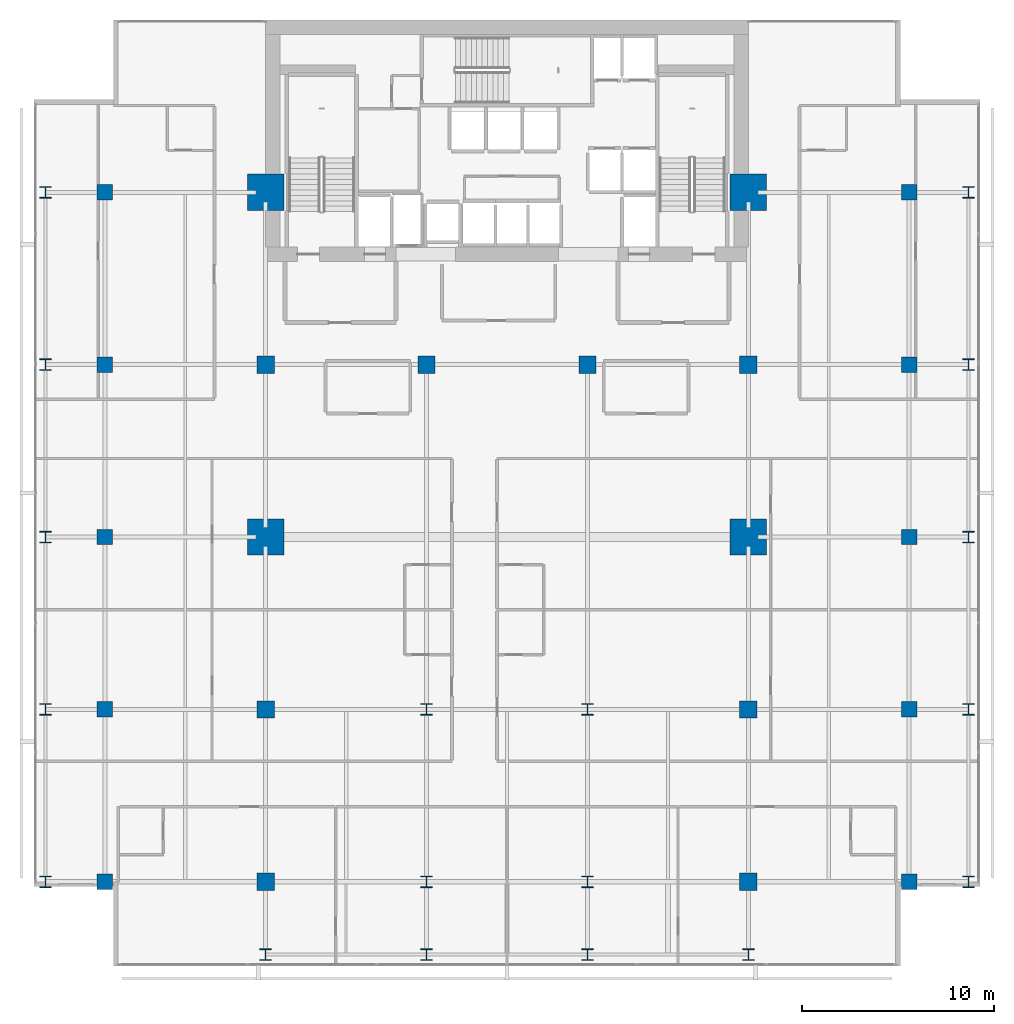
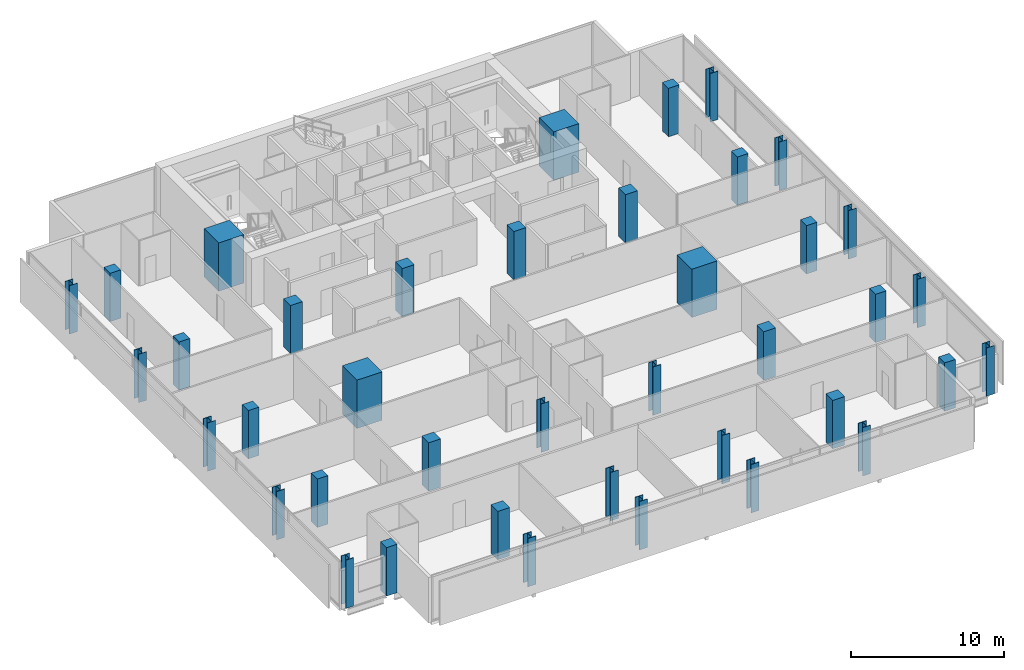
# One storey, part 1 of 32: 40 columns.
"""IFC4 building model written with IfcOpenShell, lengths in metres."""

from ifc_helpers import new_model, si_unit, direction, frame, origin, origin_2d, place, context, subcontext, project, spatial, rectangle, i_section, extrude, material, material_profile, profile_set, type_object, element, save


model = new_model("IFC4")

# Units and contexts
model_context = context("Model", 3, precision=1e-05, world=origin(), true_north=direction((0.0, 1.0)))
body_context = subcontext(model_context, "Body", "Model", "MODEL_VIEW")
ifc_project = project(units=[si_unit("LENGTHUNIT", "METRE"), si_unit("AREAUNIT", "SQUARE_METRE"), si_unit("VOLUMEUNIT", "CUBIC_METRE"), si_unit("PLANEANGLEUNIT", "RADIAN"), si_unit("MASSUNIT", "GRAM", prefix="KILO")], contexts=[model_context])

# Site, building, storey
site_placement = place(None, origin())
site = spatial("IfcSite", under=ifc_project, at=site_placement, CompositionType="ELEMENT")
building_placement = place(site_placement, origin())
building = spatial("IfcBuilding", under=site, at=building_placement, Name="Maruvema Waterfront Hotel and Observation Tower", CompositionType="ELEMENT")
storey_placement = place(building_placement, frame((0.0, 0.0, 219.800048828125)))
storey = spatial("IfcBuildingStorey", under=building, at=storey_placement, Name="L54", CompositionType="ELEMENT", Elevation=219.800048828125)

# Columns
ifc_material_1 = material(Name="Concrete C80/95", Category="concrete")
ifc_material_profile_1 = material_profile(ifc_material_1, rectangle(XDim=1.89990234375, YDim=1.89990234375, at=origin_2d()), Name="MC1900x1900")
ifc_profile_set_1 = profile_set([ifc_material_profile_1], Name="Concrete C80/95")
column_type_1 = type_object("IfcColumnType", Name="Continuous Mega-Column MC1900x1900", PredefinedType="COLUMN", material=ifc_profile_set_1)
for number, where, z_axis, x_axis, name in (
    (1, (25.199951171875, 27.0, 0.0), (0.0, 0.0, 1.0), (1.0, 0.0, 0.0), "L54 Continuous Mega-Column MC-01"),
    (2, (50.39990234375, 27.0, 0.0), (0.0, 0.0, 1.0), (1.0, 0.0, 0.0), "L54 Continuous Mega-Column MC-02"),
    (3, (25.199951171875, 45.0, 0.0), (0.0, 0.0, 1.0), (1.0, 0.0, 0.0), "L54 Continuous Mega-Column MC-03"),
    (4, (50.39990234375, 45.0, 0.0), (0.0, 0.0, 1.0), (1.0, 0.0, 0.0), "L54 Continuous Mega-Column MC-04"),
):
    element("IfcColumn", number, at=place(storey_placement, frame(where, z_axis=z_axis, x_axis=x_axis)), inside=storey, type_object=column_type_1, Name=name, PredefinedType="COLUMN", context=body_context, shape_type="SweptSolid", body=[
        extrude(rectangle(XDim=1.89990234375, YDim=1.89990234375, at=origin_2d()), origin(), (0.0, 0.0, 1.0), 3.849853515625),
    ])
ifc_material_2 = material(Name="Concrete C60/75", Category="concrete")
ifc_material_profile_2 = material_profile(ifc_material_2, rectangle(XDim=0.800048828125, YDim=0.800048828125, at=origin_2d()), Name="RC800x800")
ifc_profile_set_2 = profile_set([ifc_material_profile_2], Name="Concrete C60/75")
column_type_2 = type_object("IfcColumnType", Name="Reinforced Concrete Column RC800x800", PredefinedType="COLUMN", material=ifc_profile_set_2)
for number, where, z_axis, x_axis, name in (
    (5, (16.800048828125, 9.0, 0.0), (0.0, 0.0, 1.0), (1.0, 0.0, 0.0), "L54 Column C-3Y9"),
    (6, (58.800048828125, 9.0, 0.0), (0.0, 0.0, 1.0), (1.0, 0.0, 0.0), "L54 Column C-8Y9"),
    (7, (16.800048828125, 18.0, 0.0), (0.0, 0.0, 1.0), (1.0, 0.0, 0.0), "L54 Column C-3Y18"),
    (8, (58.800048828125, 18.0, 0.0), (0.0, 0.0, 1.0), (1.0, 0.0, 0.0), "L54 Column C-8Y18"),
    (9, (16.800048828125, 27.0, 0.0), (0.0, 0.0, 1.0), (1.0, 0.0, 0.0), "L54 Column C-3Y27"),
    (10, (58.800048828125, 27.0, 0.0), (0.0, 0.0, 1.0), (1.0, 0.0, 0.0), "L54 Column C-8Y27"),
    (11, (16.800048828125, 36.0, 0.0), (0.0, 0.0, 1.0), (1.0, 0.0, 0.0), "L54 Column C-3Y36"),
    (12, (58.800048828125, 36.0, 0.0), (0.0, 0.0, 1.0), (1.0, 0.0, 0.0), "L54 Column C-8Y36"),
    (13, (16.800048828125, 45.0, 0.0), (0.0, 0.0, 1.0), (1.0, 0.0, 0.0), "L54 Column C-3Y45"),
    (14, (58.800048828125, 45.0, 0.0), (0.0, 0.0, 1.0), (1.0, 0.0, 0.0), "L54 Column C-8Y45"),
):
    element("IfcColumn", number, at=place(storey_placement, frame(where, z_axis=z_axis, x_axis=x_axis)), inside=storey, type_object=column_type_2, Name=name, PredefinedType="COLUMN", context=body_context, shape_type="SweptSolid", body=[
        extrude(rectangle(XDim=0.800048828125, YDim=0.800048828125, at=origin_2d()), origin(), (0.0, 0.0, 1.0), 3.849853515625),
    ])
ifc_material_3 = material(Name="Concrete C60/75", Category="concrete")
ifc_material_profile_3 = material_profile(ifc_material_3, rectangle(XDim=0.89990234375, YDim=0.89990234375, at=origin_2d()), Name="RC900x900")
ifc_profile_set_3 = profile_set([ifc_material_profile_3], Name="Concrete C60/75")
column_type_3 = type_object("IfcColumnType", Name="Reinforced Concrete Column RC900x900", PredefinedType="COLUMN", material=ifc_profile_set_3)
for number, where, z_axis, x_axis, name in (
    (15, (25.199951171875, 36.0, 0.0), (0.0, 0.0, 1.0), (1.0, 0.0, 0.0), "L54 Column C-4E"),
    (16, (33.60009765625, 36.0, 0.0), (0.0, 0.0, 1.0), (1.0, 0.0, 0.0), "L54 Column C-5E"),
    (17, (42.0, 36.0, 0.0), (0.0, 0.0, 1.0), (1.0, 0.0, 0.0), "L54 Column C-6E"),
    (18, (50.39990234375, 36.0, 0.0), (0.0, 0.0, 1.0), (1.0, 0.0, 0.0), "L54 Column C-7E"),
    (19, (25.199951171875, 18.0, 0.0), (0.0, 0.0, 1.0), (1.0, 0.0, 0.0), "L54 Column C-4C"),
    (20, (50.39990234375, 18.0, 0.0), (0.0, 0.0, 1.0), (1.0, 0.0, 0.0), "L54 Column C-7C"),
    (21, (25.199951171875, 9.0, 0.0), (0.0, 0.0, 1.0), (1.0, 0.0, 0.0), "L54 Column C-4B"),
    (22, (50.39990234375, 9.0, 0.0), (0.0, 0.0, 1.0), (1.0, 0.0, 0.0), "L54 Column C-7B"),
):
    element("IfcColumn", number, at=place(storey_placement, frame(where, z_axis=z_axis, x_axis=x_axis)), inside=storey, type_object=column_type_3, Name=name, PredefinedType="COLUMN", context=body_context, shape_type="SweptSolid", body=[
        extrude(rectangle(XDim=0.89990234375, YDim=0.89990234375, at=origin_2d()), origin(), (0.0, 0.0, 1.0), 3.849853515625),
    ])
ifc_material_4 = material(Name="Steel ABNT NBR 7007 AR 415 (ASTM A572 Grade 50)", Category="steel")
ifc_material_profile_4 = material_profile(ifc_material_4, i_section(OverallWidth=0.60009765625, OverallDepth=0.60009765625, WebThickness=0.02490234375, FlangeThickness=0.0380859375, at=origin_2d()), Name="CVS600x317")
ifc_profile_set_4 = profile_set([ifc_material_profile_4], Name="Steel ABNT NBR 7007 AR 415 (ASTM A572 Grade 50)")
column_type_4 = type_object("IfcColumnType", Name="Structural Steel Column CVS600x317", PredefinedType="COLUMN", material=ifc_profile_set_4)
for number, where, z_axis, x_axis, name in (
    (23, (33.60009765625, 9.0, 0.0), (0.0, 0.0, 1.0), (1.0, 0.0, 0.0), "L54 Column C-5B"),
    (24, (42.0, 9.0, 0.0), (0.0, 0.0, 1.0), (1.0, 0.0, 0.0), "L54 Column C-6B"),
    (25, (33.60009765625, 18.0, 0.0), (0.0, 0.0, 1.0), (1.0, 0.0, 0.0), "L54 Column C-5C"),
    (26, (42.0, 18.0, 0.0), (0.0, 0.0, 1.0), (1.0, 0.0, 0.0), "L54 Column C-6C"),
    (27, (13.699951171875, 9.0, 0.0), (0.0, 0.0, 1.0), (1.0, 0.0, 0.0), "L54 Column C-Z2W9"),
    (28, (61.89990234375, 9.0, 0.0), (0.0, 0.0, 1.0), (1.0, 0.0, 0.0), "L54 Column C-Z2E9"),
    (29, (13.699951171875, 18.0, 0.0), (0.0, 0.0, 1.0), (1.0, 0.0, 0.0), "L54 Column C-Z2W18"),
    (30, (61.89990234375, 18.0, 0.0), (0.0, 0.0, 1.0), (1.0, 0.0, 0.0), "L54 Column C-Z2E18"),
    (31, (13.699951171875, 27.0, 0.0), (0.0, 0.0, 1.0), (1.0, 0.0, 0.0), "L54 Column C-Z2W27"),
    (32, (61.89990234375, 27.0, 0.0), (0.0, 0.0, 1.0), (1.0, 0.0, 0.0), "L54 Column C-Z2E27"),
    (33, (13.699951171875, 36.0, 0.0), (0.0, 0.0, 1.0), (1.0, 0.0, 0.0), "L54 Column C-Z2W36"),
    (34, (61.89990234375, 36.0, 0.0), (0.0, 0.0, 1.0), (1.0, 0.0, 0.0), "L54 Column C-Z2E36"),
    (35, (13.699951171875, 45.0, 0.0), (0.0, 0.0, 1.0), (1.0, 0.0, 0.0), "L54 Column C-Z2W45"),
    (36, (61.89990234375, 45.0, 0.0), (0.0, 0.0, 1.0), (1.0, 0.0, 0.0), "L54 Column C-Z2E45"),
    (37, (25.199951171875, 5.199951171875, 0.0), (0.0, 0.0, 1.0), (1.0, 0.0, 0.0), "L54 Column C-Z2S4"),
    (38, (33.60009765625, 5.199951171875, 0.0), (0.0, 0.0, 1.0), (1.0, 0.0, 0.0), "L54 Column C-Z2S5"),
    (39, (42.0, 5.199951171875, 0.0), (0.0, 0.0, 1.0), (1.0, 0.0, 0.0), "L54 Column C-Z2S6"),
    (40, (50.39990234375, 5.199951171875, 0.0), (0.0, 0.0, 1.0), (1.0, 0.0, 0.0), "L54 Column C-Z2S7"),
):
    element("IfcColumn", number, at=place(storey_placement, frame(where, z_axis=z_axis, x_axis=x_axis)), inside=storey, type_object=column_type_4, Name=name, PredefinedType="COLUMN", context=body_context, shape_type="SweptSolid", body=[
        extrude(i_section(OverallWidth=0.60009765625, OverallDepth=0.60009765625, WebThickness=0.02490234375, FlangeThickness=0.0380859375, at=origin_2d()), origin(), (0.0, 0.0, 1.0), 3.849853515625),
    ])

save(model, "model.ifc")
